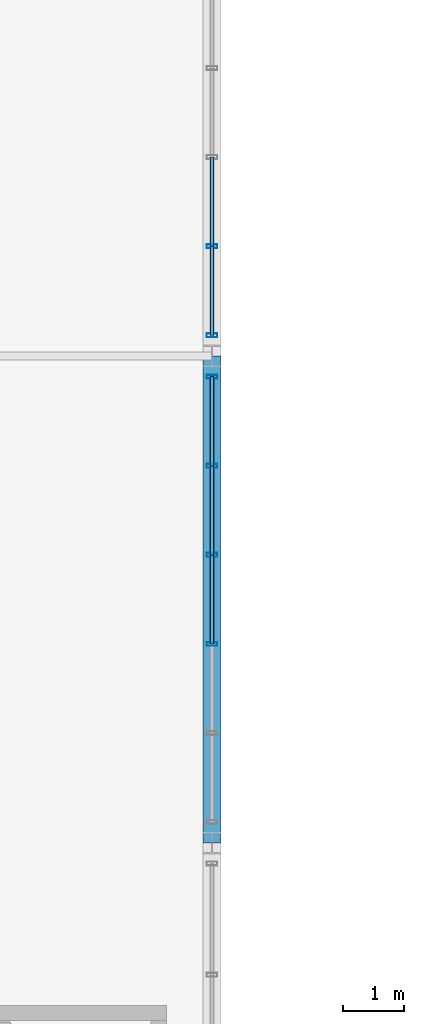
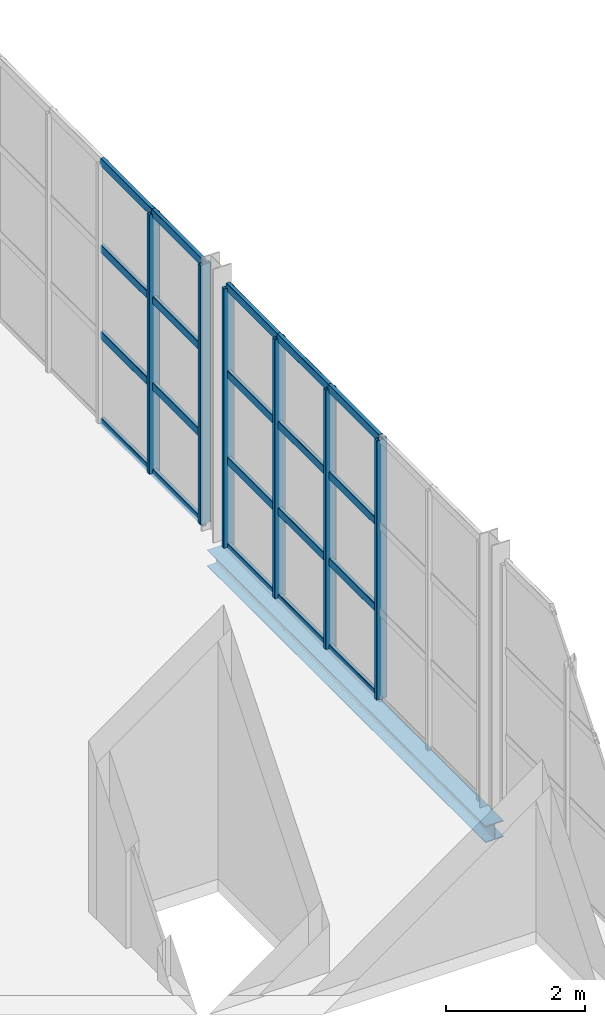
# One storey, part 62 of 143: 26 members, 1 beam, 2 elements without a shape of their own.
"""IFC4 building model written with IfcOpenShell, lengths in metres."""

from ifc_helpers import new_model, si_unit, derived_unit, direction, frame, origin, origin_2d, place, context, subcontext, project, spatial, hollow_rectangle, i_section, extrude, material, material_profile, profile_set, type_object, element, aggregate, save


model = new_model("IFC4")

# Units and contexts
model_context = context("Model", 3, precision=1e-05, world=origin(), true_north=direction((0.0, 1.0)))
body_context = subcontext(model_context, "Body", "Model", "MODEL_VIEW")
ifc_project = project(units=[si_unit("LENGTHUNIT", "METRE"), si_unit("AREAUNIT", "SQUARE_METRE"), si_unit("VOLUMEUNIT", "CUBIC_METRE"), si_unit("PLANEANGLEUNIT", "RADIAN"), si_unit("MASSUNIT", "GRAM", prefix="KILO"), derived_unit("THERMALTRANSMITTANCEUNIT", [(si_unit("POWERUNIT", "WATT"), 1), (si_unit("LENGTHUNIT", "METRE"), -2), (si_unit("THERMODYNAMICTEMPERATUREUNIT", "KELVIN"), -1)])], contexts=[model_context])

# Site, building, storey
site_placement = place(None, origin())
site = spatial("IfcSite", under=ifc_project, at=site_placement, CompositionType="ELEMENT")
building_placement = place(site_placement, origin())
building = spatial("IfcBuilding", under=site, at=building_placement, Name="Keldorne Ridge Multi-Sports Centre", CompositionType="ELEMENT")
storey_placement = place(building_placement, frame((0.0, 0.0, 4.800048828125)))
storey = spatial("IfcBuildingStorey", under=building, at=storey_placement, Name="L01", CompositionType="ELEMENT", Elevation=4.800048828125)

# Beam
ifc_material_1 = material(Name="Steel S355", Category="steel")
ifc_material_profile_1 = material_profile(ifc_material_1, i_section(OverallWidth=0.300048828125, OverallDepth=0.2900390625, WebThickness=0.008544921875, FlangeThickness=0.013916015625, FilletRadius=0.027099609375, at=origin_2d()), Name="HEA 300")
ifc_profile_set_1 = profile_set([ifc_material_profile_1], Name="Steel S355")
beam_type = type_object("IfcBeamType", Name="BM-SP-04", PredefinedType="SPANDREL", material=ifc_profile_set_1)
beam_placement = place(storey_placement, frame((42.0, 82.0, -0.3701171875), z_axis=(0.0, 1.0, 0.0), x_axis=(-1.0, 0.0, 0.0)))
element("IfcBeam", 1, at=beam_placement, inside=storey, type_object=beam_type, Name="Climbing east spandrel L01.2", PredefinedType="SPANDREL", context=body_context, shape_type="SweptSolid", body=[
    extrude(i_section(OverallWidth=0.300048828125, OverallDepth=0.2900390625, WebThickness=0.008544921875, FlangeThickness=0.013916015625, FilletRadius=0.027099609375, at=origin_2d()), origin(), (0.0, 0.0, 1.0), 8.0),
])

# Curtain wall, members
ifc_material_2 = material(Name="Anodized aluminium", Category="aluminium")
curtain_wall_type_1 = type_object("IfcCurtainWallType", Name="CW-CW-06", PredefinedType="NOTDEFINED", material=ifc_material_2)
curtain_wall_1_placement = place(storey_placement, origin())
curtain_wall_1 = element("IfcCurtainWall", 2, at=curtain_wall_1_placement, inside=storey, type_object=curtain_wall_type_1, Name="Climbing east courtyard glazing L01 062", PredefinedType="NOTDEFINED")
ifc_material_profile_2 = material_profile(ifc_material_2, hollow_rectangle(XDim=0.06494140625, YDim=0.179931640625, WallThickness=0.00439453125, InnerFilletRadius=0.00439453125, OuterFilletRadius=0.009033203125, at=origin_2d()), Name="ALU MULLION 180x65x4.5")
ifc_profile_set_2 = profile_set([ifc_material_profile_2], Name="Anodized aluminium")
member_type_1 = type_object("IfcMemberType", Name="MEM-ML-01", PredefinedType="MULLION", material=ifc_profile_set_2)
member_1_placement = place(storey_placement, frame((42.0, 85.26806640625, 0.0), z_axis=(0.0, 0.0, 1.0), x_axis=(0.0, 1.0, 0.0)))
member_1 = element("IfcMember", 3, at=member_1_placement, type_object=member_type_1, Name="CW-062 vertical mullion 3", PredefinedType="MULLION", context=body_context, shape_type="SweptSolid", body=[
    extrude(hollow_rectangle(XDim=0.06494140625, YDim=0.179931640625, WallThickness=0.00439453125, InnerFilletRadius=0.00439453125, OuterFilletRadius=0.009033203125, at=origin_2d()), origin(), (0.0, 0.0, 1.0), 4.550048828125),
])
member_2_placement = place(storey_placement, frame((42.0, 86.73193359375, 0.0), z_axis=(0.0, 0.0, 1.0), x_axis=(0.0, 1.0, 0.0)))
member_2 = element("IfcMember", 4, at=member_2_placement, type_object=member_type_1, Name="CW-062 vertical mullion 4", PredefinedType="MULLION", context=body_context, shape_type="SweptSolid", body=[
    extrude(hollow_rectangle(XDim=0.06494140625, YDim=0.179931640625, WallThickness=0.00439453125, InnerFilletRadius=0.00439453125, OuterFilletRadius=0.009033203125, at=origin_2d()), origin(), (0.0, 0.0, 1.0), 4.550048828125),
])
member_3_placement = place(storey_placement, frame((42.0, 88.196044921875, 0.0), z_axis=(0.0, 0.0, 1.0), x_axis=(0.0, 1.0, 0.0)))
member_3 = element("IfcMember", 5, at=member_3_placement, type_object=member_type_1, Name="CW-062 vertical mullion 5", PredefinedType="MULLION", context=body_context, shape_type="SweptSolid", body=[
    extrude(hollow_rectangle(XDim=0.06494140625, YDim=0.179931640625, WallThickness=0.00439453125, InnerFilletRadius=0.00439453125, OuterFilletRadius=0.009033203125, at=origin_2d()), origin(), (0.0, 0.0, 1.0), 4.550048828125),
])
member_4_placement = place(storey_placement, frame((42.0, 89.659912109375, 0.0), z_axis=(0.0, 0.0, 1.0), x_axis=(0.0, 1.0, 0.0)))
member_4 = element("IfcMember", 6, at=member_4_placement, type_object=member_type_1, Name="CW-062 vertical mullion 6", PredefinedType="MULLION", context=body_context, shape_type="SweptSolid", body=[
    extrude(hollow_rectangle(XDim=0.06494140625, YDim=0.179931640625, WallThickness=0.00439453125, InnerFilletRadius=0.00439453125, OuterFilletRadius=0.009033203125, at=origin_2d()), origin(), (0.0, 0.0, 1.0), 4.550048828125),
])

curtain_wall_type_2 = type_object("IfcCurtainWallType", Name="CW-CW-01", PredefinedType="NOTDEFINED", material=ifc_material_2)
curtain_wall_2_placement = place(storey_placement, origin())
curtain_wall_2 = element("IfcCurtainWall", 7, at=curtain_wall_2_placement, inside=storey, type_object=curtain_wall_type_2, Name="Climbing east courtyard glazing L01 065", PredefinedType="NOTDEFINED")
member_5_placement = place(storey_placement, frame((42.0, 90.340087890625, 0.0), z_axis=(0.0, 0.0, 1.0), x_axis=(0.0, 1.0, 0.0)))
member_5 = element("IfcMember", 8, at=member_5_placement, type_object=member_type_1, Name="CW-065 vertical mullion 1", PredefinedType="MULLION", context=body_context, shape_type="SweptSolid", body=[
    extrude(hollow_rectangle(XDim=0.06494140625, YDim=0.179931640625, WallThickness=0.00439453125, InnerFilletRadius=0.00439453125, OuterFilletRadius=0.009033203125, at=origin_2d()), origin(), (0.0, 0.0, 1.0), 4.550048828125),
])
member_6_placement = place(storey_placement, frame((42.0, 91.803955078125, 0.0), z_axis=(0.0, 0.0, 1.0), x_axis=(0.0, 1.0, 0.0)))
member_6 = element("IfcMember", 9, at=member_6_placement, type_object=member_type_1, Name="CW-065 vertical mullion 2", PredefinedType="MULLION", context=body_context, shape_type="SweptSolid", body=[
    extrude(hollow_rectangle(XDim=0.06494140625, YDim=0.179931640625, WallThickness=0.00439453125, InnerFilletRadius=0.00439453125, OuterFilletRadius=0.009033203125, at=origin_2d()), origin(), (0.0, 0.0, 1.0), 4.550048828125),
])

# Member
ifc_material_profile_3 = material_profile(ifc_material_2, hollow_rectangle(XDim=0.06494140625, YDim=0.139892578125, WallThickness=0.00439453125, InnerFilletRadius=0.00439453125, OuterFilletRadius=0.009033203125, at=origin_2d()), Name="ALU TRANSOM 140x65x4.5")
ifc_profile_set_3 = profile_set([ifc_material_profile_3], Name="Anodized aluminium")
member_type_2 = type_object("IfcMemberType", Name="MEM-TR-01", PredefinedType="USERDEFINED", material=ifc_profile_set_3)
member_7_placement = place(storey_placement, frame((42.0, 85.26806640625, 0.0), z_axis=(0.0, 1.0, 0.0), x_axis=(-1.0, 0.0, 0.0)))
member_7 = element("IfcMember", 10, at=member_7_placement, type_object=member_type_2, Name="CW-062 transom 3.1", ObjectType="TRANSOM", PredefinedType="USERDEFINED", context=body_context, shape_type="SweptSolid", body=[
    extrude(hollow_rectangle(XDim=0.06494140625, YDim=0.139892578125, WallThickness=0.00439453125, InnerFilletRadius=0.00439453125, OuterFilletRadius=0.009033203125, at=origin_2d()), origin(), (0.0, 0.0, 1.0), 1.4638671875),
])

member_8_placement = place(storey_placement, frame((42.0, 85.26806640625, 1.5166015625), z_axis=(0.0, 1.0, 0.0), x_axis=(-1.0, 0.0, 0.0)))
member_8 = element("IfcMember", 11, at=member_8_placement, type_object=member_type_2, Name="CW-062 transom 3.2", ObjectType="TRANSOM", PredefinedType="USERDEFINED", context=body_context, shape_type="SweptSolid", body=[
    extrude(hollow_rectangle(XDim=0.06494140625, YDim=0.139892578125, WallThickness=0.00439453125, InnerFilletRadius=0.00439453125, OuterFilletRadius=0.009033203125, at=origin_2d()), origin(), (0.0, 0.0, 1.0), 1.4638671875),
])

member_9_placement = place(storey_placement, frame((42.0, 85.26806640625, 3.033203125), z_axis=(0.0, 1.0, 0.0), x_axis=(-1.0, 0.0, 0.0)))
member_9 = element("IfcMember", 12, at=member_9_placement, type_object=member_type_2, Name="CW-062 transom 3.3", ObjectType="TRANSOM", PredefinedType="USERDEFINED", context=body_context, shape_type="SweptSolid", body=[
    extrude(hollow_rectangle(XDim=0.06494140625, YDim=0.139892578125, WallThickness=0.00439453125, InnerFilletRadius=0.00439453125, OuterFilletRadius=0.009033203125, at=origin_2d()), origin(), (0.0, 0.0, 1.0), 1.4638671875),
])

member_10_placement = place(storey_placement, frame((42.0, 85.26806640625, 4.550048828125), z_axis=(0.0, 1.0, 0.0), x_axis=(-1.0, 0.0, 0.0)))
member_10 = element("IfcMember", 13, at=member_10_placement, type_object=member_type_2, Name="CW-062 transom 3.4", ObjectType="TRANSOM", PredefinedType="USERDEFINED", context=body_context, shape_type="SweptSolid", body=[
    extrude(hollow_rectangle(XDim=0.06494140625, YDim=0.139892578125, WallThickness=0.00439453125, InnerFilletRadius=0.00439453125, OuterFilletRadius=0.009033203125, at=origin_2d()), origin(), (0.0, 0.0, 1.0), 1.4638671875),
])

member_11_placement = place(storey_placement, frame((42.0, 86.73193359375, 0.0), z_axis=(0.0, 1.0, 0.0), x_axis=(-1.0, 0.0, 0.0)))
member_11 = element("IfcMember", 14, at=member_11_placement, type_object=member_type_2, Name="CW-062 transom 4.1", ObjectType="TRANSOM", PredefinedType="USERDEFINED", context=body_context, shape_type="SweptSolid", body=[
    extrude(hollow_rectangle(XDim=0.06494140625, YDim=0.139892578125, WallThickness=0.00439453125, InnerFilletRadius=0.00439453125, OuterFilletRadius=0.009033203125, at=origin_2d()), origin(), (0.0, 0.0, 1.0), 1.464111328125),
])

member_12_placement = place(storey_placement, frame((42.0, 86.73193359375, 1.5166015625), z_axis=(0.0, 1.0, 0.0), x_axis=(-1.0, 0.0, 0.0)))
member_12 = element("IfcMember", 15, at=member_12_placement, type_object=member_type_2, Name="CW-062 transom 4.2", ObjectType="TRANSOM", PredefinedType="USERDEFINED", context=body_context, shape_type="SweptSolid", body=[
    extrude(hollow_rectangle(XDim=0.06494140625, YDim=0.139892578125, WallThickness=0.00439453125, InnerFilletRadius=0.00439453125, OuterFilletRadius=0.009033203125, at=origin_2d()), origin(), (0.0, 0.0, 1.0), 1.464111328125),
])

member_13_placement = place(storey_placement, frame((42.0, 86.73193359375, 3.033203125), z_axis=(0.0, 1.0, 0.0), x_axis=(-1.0, 0.0, 0.0)))
member_13 = element("IfcMember", 16, at=member_13_placement, type_object=member_type_2, Name="CW-062 transom 4.3", ObjectType="TRANSOM", PredefinedType="USERDEFINED", context=body_context, shape_type="SweptSolid", body=[
    extrude(hollow_rectangle(XDim=0.06494140625, YDim=0.139892578125, WallThickness=0.00439453125, InnerFilletRadius=0.00439453125, OuterFilletRadius=0.009033203125, at=origin_2d()), origin(), (0.0, 0.0, 1.0), 1.464111328125),
])

member_14_placement = place(storey_placement, frame((42.0, 86.73193359375, 4.550048828125), z_axis=(0.0, 1.0, 0.0), x_axis=(-1.0, 0.0, 0.0)))
member_14 = element("IfcMember", 17, at=member_14_placement, type_object=member_type_2, Name="CW-062 transom 4.4", ObjectType="TRANSOM", PredefinedType="USERDEFINED", context=body_context, shape_type="SweptSolid", body=[
    extrude(hollow_rectangle(XDim=0.06494140625, YDim=0.139892578125, WallThickness=0.00439453125, InnerFilletRadius=0.00439453125, OuterFilletRadius=0.009033203125, at=origin_2d()), origin(), (0.0, 0.0, 1.0), 1.464111328125),
])

member_15_placement = place(storey_placement, frame((42.0, 88.196044921875, 0.0), z_axis=(0.0, 1.0, 0.0), x_axis=(-1.0, 0.0, 0.0)))
member_15 = element("IfcMember", 18, at=member_15_placement, type_object=member_type_2, Name="CW-062 transom 5.1", ObjectType="TRANSOM", PredefinedType="USERDEFINED", context=body_context, shape_type="SweptSolid", body=[
    extrude(hollow_rectangle(XDim=0.06494140625, YDim=0.139892578125, WallThickness=0.00439453125, InnerFilletRadius=0.00439453125, OuterFilletRadius=0.009033203125, at=origin_2d()), origin(), (0.0, 0.0, 1.0), 1.4638671875),
])

member_16_placement = place(storey_placement, frame((42.0, 88.196044921875, 1.5166015625), z_axis=(0.0, 1.0, 0.0), x_axis=(-1.0, 0.0, 0.0)))
member_16 = element("IfcMember", 19, at=member_16_placement, type_object=member_type_2, Name="CW-062 transom 5.2", ObjectType="TRANSOM", PredefinedType="USERDEFINED", context=body_context, shape_type="SweptSolid", body=[
    extrude(hollow_rectangle(XDim=0.06494140625, YDim=0.139892578125, WallThickness=0.00439453125, InnerFilletRadius=0.00439453125, OuterFilletRadius=0.009033203125, at=origin_2d()), origin(), (0.0, 0.0, 1.0), 1.4638671875),
])

member_17_placement = place(storey_placement, frame((42.0, 88.196044921875, 3.033203125), z_axis=(0.0, 1.0, 0.0), x_axis=(-1.0, 0.0, 0.0)))
member_17 = element("IfcMember", 20, at=member_17_placement, type_object=member_type_2, Name="CW-062 transom 5.3", ObjectType="TRANSOM", PredefinedType="USERDEFINED", context=body_context, shape_type="SweptSolid", body=[
    extrude(hollow_rectangle(XDim=0.06494140625, YDim=0.139892578125, WallThickness=0.00439453125, InnerFilletRadius=0.00439453125, OuterFilletRadius=0.009033203125, at=origin_2d()), origin(), (0.0, 0.0, 1.0), 1.4638671875),
])

member_18_placement = place(storey_placement, frame((42.0, 88.196044921875, 4.550048828125), z_axis=(0.0, 1.0, 0.0), x_axis=(-1.0, 0.0, 0.0)))
member_18 = element("IfcMember", 21, at=member_18_placement, type_object=member_type_2, Name="CW-062 transom 5.4", ObjectType="TRANSOM", PredefinedType="USERDEFINED", context=body_context, shape_type="SweptSolid", body=[
    extrude(hollow_rectangle(XDim=0.06494140625, YDim=0.139892578125, WallThickness=0.00439453125, InnerFilletRadius=0.00439453125, OuterFilletRadius=0.009033203125, at=origin_2d()), origin(), (0.0, 0.0, 1.0), 1.4638671875),
])

aggregate(curtain_wall_1, [member_1, member_2, member_3, member_4, member_7, member_8, member_9, member_10, member_11, member_12, member_13, member_14, member_15, member_16, member_17, member_18])

member_19_placement = place(storey_placement, frame((42.0, 90.340087890625, 0.0), z_axis=(0.0, 1.0, 0.0), x_axis=(-1.0, 0.0, 0.0)))
member_19 = element("IfcMember", 22, at=member_19_placement, type_object=member_type_2, Name="CW-065 transom 1.1", ObjectType="TRANSOM", PredefinedType="USERDEFINED", context=body_context, shape_type="SweptSolid", body=[
    extrude(hollow_rectangle(XDim=0.06494140625, YDim=0.139892578125, WallThickness=0.00439453125, InnerFilletRadius=0.00439453125, OuterFilletRadius=0.009033203125, at=origin_2d()), origin(), (0.0, 0.0, 1.0), 1.4638671875),
])

member_20_placement = place(storey_placement, frame((42.0, 90.340087890625, 1.5166015625), z_axis=(0.0, 1.0, 0.0), x_axis=(-1.0, 0.0, 0.0)))
member_20 = element("IfcMember", 23, at=member_20_placement, type_object=member_type_2, Name="CW-065 transom 1.2", ObjectType="TRANSOM", PredefinedType="USERDEFINED", context=body_context, shape_type="SweptSolid", body=[
    extrude(hollow_rectangle(XDim=0.06494140625, YDim=0.139892578125, WallThickness=0.00439453125, InnerFilletRadius=0.00439453125, OuterFilletRadius=0.009033203125, at=origin_2d()), origin(), (0.0, 0.0, 1.0), 1.4638671875),
])

member_21_placement = place(storey_placement, frame((42.0, 90.340087890625, 3.033203125), z_axis=(0.0, 1.0, 0.0), x_axis=(-1.0, 0.0, 0.0)))
member_21 = element("IfcMember", 24, at=member_21_placement, type_object=member_type_2, Name="CW-065 transom 1.3", ObjectType="TRANSOM", PredefinedType="USERDEFINED", context=body_context, shape_type="SweptSolid", body=[
    extrude(hollow_rectangle(XDim=0.06494140625, YDim=0.139892578125, WallThickness=0.00439453125, InnerFilletRadius=0.00439453125, OuterFilletRadius=0.009033203125, at=origin_2d()), origin(), (0.0, 0.0, 1.0), 1.4638671875),
])

member_22_placement = place(storey_placement, frame((42.0, 90.340087890625, 4.550048828125), z_axis=(0.0, 1.0, 0.0), x_axis=(-1.0, 0.0, 0.0)))
member_22 = element("IfcMember", 25, at=member_22_placement, type_object=member_type_2, Name="CW-065 transom 1.4", ObjectType="TRANSOM", PredefinedType="USERDEFINED", context=body_context, shape_type="SweptSolid", body=[
    extrude(hollow_rectangle(XDim=0.06494140625, YDim=0.139892578125, WallThickness=0.00439453125, InnerFilletRadius=0.00439453125, OuterFilletRadius=0.009033203125, at=origin_2d()), origin(), (0.0, 0.0, 1.0), 1.4638671875),
])

member_23_placement = place(storey_placement, frame((42.0, 91.803955078125, 0.0), z_axis=(0.0, 1.0, 0.0), x_axis=(-1.0, 0.0, 0.0)))
member_23 = element("IfcMember", 26, at=member_23_placement, type_object=member_type_2, Name="CW-065 transom 2.1", ObjectType="TRANSOM", PredefinedType="USERDEFINED", context=body_context, shape_type="SweptSolid", body=[
    extrude(hollow_rectangle(XDim=0.06494140625, YDim=0.139892578125, WallThickness=0.00439453125, InnerFilletRadius=0.00439453125, OuterFilletRadius=0.009033203125, at=origin_2d()), origin(), (0.0, 0.0, 1.0), 1.464111328125),
])

member_24_placement = place(storey_placement, frame((42.0, 91.803955078125, 1.5166015625), z_axis=(0.0, 1.0, 0.0), x_axis=(-1.0, 0.0, 0.0)))
member_24 = element("IfcMember", 27, at=member_24_placement, type_object=member_type_2, Name="CW-065 transom 2.2", ObjectType="TRANSOM", PredefinedType="USERDEFINED", context=body_context, shape_type="SweptSolid", body=[
    extrude(hollow_rectangle(XDim=0.06494140625, YDim=0.139892578125, WallThickness=0.00439453125, InnerFilletRadius=0.00439453125, OuterFilletRadius=0.009033203125, at=origin_2d()), origin(), (0.0, 0.0, 1.0), 1.464111328125),
])

member_25_placement = place(storey_placement, frame((42.0, 91.803955078125, 3.033203125), z_axis=(0.0, 1.0, 0.0), x_axis=(-1.0, 0.0, 0.0)))
member_25 = element("IfcMember", 28, at=member_25_placement, type_object=member_type_2, Name="CW-065 transom 2.3", ObjectType="TRANSOM", PredefinedType="USERDEFINED", context=body_context, shape_type="SweptSolid", body=[
    extrude(hollow_rectangle(XDim=0.06494140625, YDim=0.139892578125, WallThickness=0.00439453125, InnerFilletRadius=0.00439453125, OuterFilletRadius=0.009033203125, at=origin_2d()), origin(), (0.0, 0.0, 1.0), 1.464111328125),
])

member_26_placement = place(storey_placement, frame((42.0, 91.803955078125, 4.550048828125), z_axis=(0.0, 1.0, 0.0), x_axis=(-1.0, 0.0, 0.0)))
member_26 = element("IfcMember", 29, at=member_26_placement, type_object=member_type_2, Name="CW-065 transom 2.4", ObjectType="TRANSOM", PredefinedType="USERDEFINED", context=body_context, shape_type="SweptSolid", body=[
    extrude(hollow_rectangle(XDim=0.06494140625, YDim=0.139892578125, WallThickness=0.00439453125, InnerFilletRadius=0.00439453125, OuterFilletRadius=0.009033203125, at=origin_2d()), origin(), (0.0, 0.0, 1.0), 1.464111328125),
])

aggregate(curtain_wall_2, [member_5, member_6, member_19, member_20, member_21, member_22, member_23, member_24, member_25, member_26])

save(model, "model.ifc")
